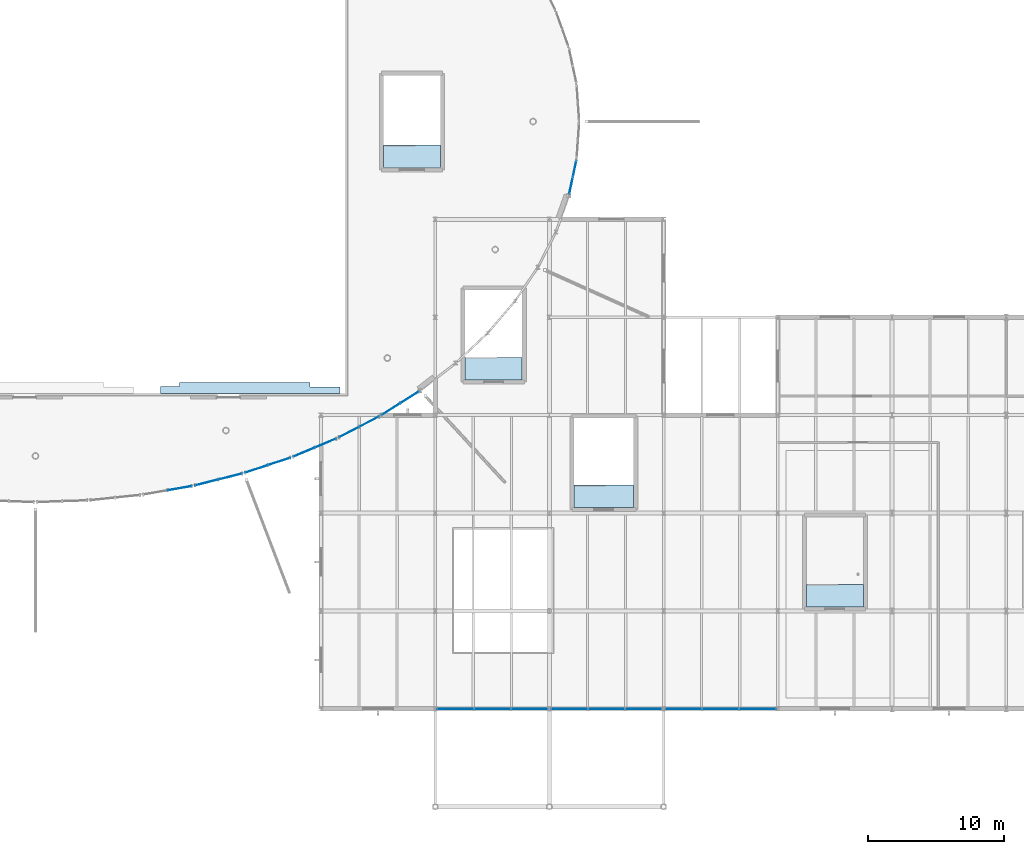
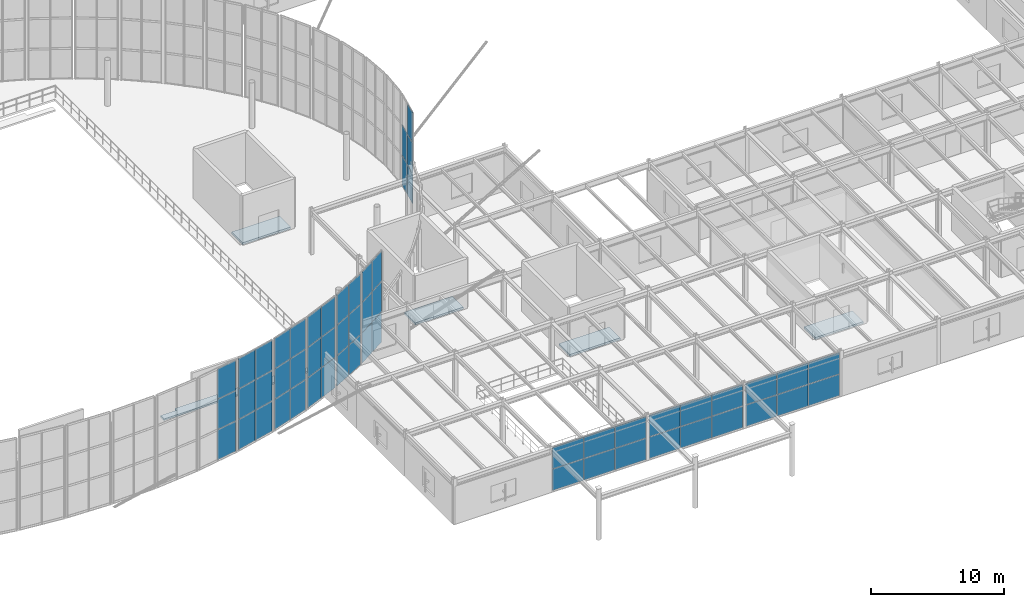
# One storey, part 48 of 109: 56 plates, 5 slabs, 10 elements without a shape of their own.
"""IFC4 building model written with IfcOpenShell, lengths in metres."""

from ifc_helpers import new_model, si_unit, derived_unit, direction, frame, origin, origin_2d, place, context, subcontext, project, spatial, polyline, rectangle, outline, extrude, material, layer, layer_set, type_object, element, aggregate, save


model = new_model("IFC4")

# Units and contexts
model_context = context("Model", 3, precision=1e-05, world=origin(), true_north=direction((0.0, 1.0)))
body_context = subcontext(model_context, "Body", "Model", "MODEL_VIEW")
ifc_project = project(units=[si_unit("LENGTHUNIT", "METRE"), si_unit("AREAUNIT", "SQUARE_METRE"), si_unit("VOLUMEUNIT", "CUBIC_METRE"), si_unit("PLANEANGLEUNIT", "RADIAN"), si_unit("MASSUNIT", "GRAM", prefix="KILO"), derived_unit("THERMALTRANSMITTANCEUNIT", [(si_unit("MASSUNIT", "GRAM", prefix="KILO"), 1), (si_unit("TIMEUNIT", "SECOND"), -3), (si_unit("THERMODYNAMICTEMPERATUREUNIT", "KELVIN"), -1)])], contexts=[model_context])

# Site, building, storey
site_placement = place(None, origin())
site = spatial("IfcSite", under=ifc_project, at=site_placement, CompositionType="ELEMENT")
building_placement = place(site_placement, origin())
building = spatial("IfcBuilding", under=site, at=building_placement, Name="Kharveza Railside Sports Centre", CompositionType="ELEMENT")
storey_placement = place(building_placement, frame((0.0, 0.0, 4.5)))
storey = spatial("IfcBuildingStorey", under=building, at=storey_placement, Name="L01", CompositionType="ELEMENT", Elevation=4.5)

# Curtain wall, plates
ifc_material_1 = material(Name="Low-E solar-control laminated glass", Category="glass")
curtain_wall_type_1 = type_object("IfcCurtainWallType", Name="CW-DR01", PredefinedType="NOTDEFINED", material=ifc_material_1)
curtain_wall_1_placement = place(storey_placement, origin())
curtain_wall_1 = element("IfcCurtainWall", 1, at=curtain_wall_1_placement, inside=storey, type_object=curtain_wall_type_1, Name="CW-DRUM-51", PredefinedType="NOTDEFINED")
ifc_layer_1 = layer(ifc_material_1, 0.035888671875, Name="Low-E solar-control laminated glass")
ifc_layer_set_1 = layer_set([ifc_layer_1], Name="Low-E solar-control laminated glass")
plate_type_1 = type_object("IfcPlateType", Name="PL-CP01", PredefinedType="CURTAIN_PANEL", material=ifc_layer_set_1)
plate_1_placement = place(storey_placement, frame((65.2001953125, 23.428466796875, 0.02001953125), z_axis=(0.0, 0.0, 1.0), x_axis=(0.984973989537, 0.172702750228, 0.0)))
plate_1 = element("IfcPlate", 2, at=plate_1_placement, type_object=plate_type_1, Name="CW-DRUM-51-PN21", PredefinedType="CURTAIN_PANEL", context=body_context, shape_type="SweptSolid", body=[
    extrude(rectangle(XDim=1.77294921875, YDim=0.035888671875, at=origin_2d()), origin(), (0.0, 0.0, 1.0), 2.760009765625),
])
plate_2_placement = place(storey_placement, frame((65.2001953125, 23.428466796875, 2.81982421875), z_axis=(0.0, 0.0, 1.0), x_axis=(0.984973989537, 0.172702750228, 0.0)))
plate_2 = element("IfcPlate", 3, at=plate_2_placement, type_object=plate_type_1, Name="CW-DRUM-51-PN22", PredefinedType="CURTAIN_PANEL", context=body_context, shape_type="SweptSolid", body=[
    extrude(rectangle(XDim=1.77294921875, YDim=0.035888671875, at=origin_2d()), origin(), (0.0, 0.0, 1.0), 2.760009765625),
])
plate_3_placement = place(storey_placement, frame((65.2001953125, 23.428466796875, 5.6201171875), z_axis=(0.0, 0.0, 1.0), x_axis=(0.984973989537, 0.172702750228, 0.0)))
plate_3 = element("IfcPlate", 4, at=plate_3_placement, type_object=plate_type_1, Name="CW-DRUM-51-PN23", PredefinedType="CURTAIN_PANEL", context=body_context, shape_type="SweptSolid", body=[
    extrude(rectangle(XDim=1.77294921875, YDim=0.035888671875, at=origin_2d()), origin(), (0.0, 0.0, 1.0), 2.760009765625),
])
aggregate(curtain_wall_1, [plate_1, plate_2, plate_3])

curtain_wall_2_placement = place(storey_placement, origin())
curtain_wall_2 = element("IfcCurtainWall", 5, at=curtain_wall_2_placement, inside=storey, type_object=curtain_wall_type_1, Name="CW-DRUM-52", PredefinedType="NOTDEFINED")
plate_4_placement = place(storey_placement, frame((67.193603515625, 23.851806640625, 0.02001953125), z_axis=(0.0, 0.0, 1.0), x_axis=(0.970037614068, 0.242954784461, 0.0)))
plate_4 = element("IfcPlate", 6, at=plate_4_placement, type_object=plate_type_1, Name="CW-DRUM-52-PN11", PredefinedType="CURTAIN_PANEL", context=body_context, shape_type="SweptSolid", body=[
    extrude(rectangle(XDim=1.7451171875, YDim=0.035888671875, at=origin_2d()), origin(), (0.0, 0.0, 1.0), 2.760009765625),
])
plate_5_placement = place(storey_placement, frame((67.193603515625, 23.851806640625, 2.81982421875), z_axis=(0.0, 0.0, 1.0), x_axis=(0.970037614068, 0.242954784461, 0.0)))
plate_5 = element("IfcPlate", 7, at=plate_5_placement, type_object=plate_type_1, Name="CW-DRUM-52-PN12", PredefinedType="CURTAIN_PANEL", context=body_context, shape_type="SweptSolid", body=[
    extrude(rectangle(XDim=1.7451171875, YDim=0.035888671875, at=origin_2d()), origin(), (0.0, 0.0, 1.0), 2.760009765625),
])
plate_6_placement = place(storey_placement, frame((67.193603515625, 23.851806640625, 5.6201171875), z_axis=(0.0, 0.0, 1.0), x_axis=(0.970037614068, 0.242954784461, 0.0)))
plate_6 = element("IfcPlate", 8, at=plate_6_placement, type_object=plate_type_1, Name="CW-DRUM-52-PN13", PredefinedType="CURTAIN_PANEL", context=body_context, shape_type="SweptSolid", body=[
    extrude(rectangle(XDim=1.7451171875, YDim=0.035888671875, at=origin_2d()), origin(), (0.0, 0.0, 1.0), 2.760009765625),
])
plate_7_placement = place(storey_placement, frame((68.925048828125, 24.285400390625, 0.02001953125), z_axis=(0.0, 0.0, 1.0), x_axis=(0.970037614068, 0.242954784461, 0.0)))
plate_7 = element("IfcPlate", 9, at=plate_7_placement, type_object=plate_type_1, Name="CW-DRUM-52-PN21", PredefinedType="CURTAIN_PANEL", context=body_context, shape_type="SweptSolid", body=[
    extrude(rectangle(XDim=1.7451171875, YDim=0.035888671875, at=origin_2d()), origin(), (0.0, 0.0, 1.0), 2.760009765625),
])
plate_8_placement = place(storey_placement, frame((68.925048828125, 24.285400390625, 2.81982421875), z_axis=(0.0, 0.0, 1.0), x_axis=(0.970037614068, 0.242954784461, 0.0)))
plate_8 = element("IfcPlate", 10, at=plate_8_placement, type_object=plate_type_1, Name="CW-DRUM-52-PN22", PredefinedType="CURTAIN_PANEL", context=body_context, shape_type="SweptSolid", body=[
    extrude(rectangle(XDim=1.7451171875, YDim=0.035888671875, at=origin_2d()), origin(), (0.0, 0.0, 1.0), 2.760009765625),
])
plate_9_placement = place(storey_placement, frame((68.925048828125, 24.285400390625, 5.6201171875), z_axis=(0.0, 0.0, 1.0), x_axis=(0.970037614068, 0.242954784461, 0.0)))
plate_9 = element("IfcPlate", 11, at=plate_9_placement, type_object=plate_type_1, Name="CW-DRUM-52-PN23", PredefinedType="CURTAIN_PANEL", context=body_context, shape_type="SweptSolid", body=[
    extrude(rectangle(XDim=1.7451171875, YDim=0.035888671875, at=origin_2d()), origin(), (0.0, 0.0, 1.0), 2.760009765625),
])
aggregate(curtain_wall_2, [plate_4, plate_5, plate_6, plate_7, plate_8, plate_9])

curtain_wall_3_placement = place(storey_placement, origin())
curtain_wall_3 = element("IfcCurtainWall", 12, at=curtain_wall_3_placement, inside=storey, type_object=curtain_wall_type_1, Name="CW-DRUM-53", PredefinedType="NOTDEFINED")
plate_10_placement = place(storey_placement, frame((70.851318359375, 24.843994140625, 0.02001953125), z_axis=(0.0, 0.0, 1.0), x_axis=(0.949326787152, 0.314290711278, 0.0)))
plate_10 = element("IfcPlate", 13, at=plate_10_placement, type_object=plate_type_1, Name="CW-DRUM-53-PN11", PredefinedType="CURTAIN_PANEL", context=body_context, shape_type="SweptSolid", body=[
    extrude(rectangle(XDim=1.708984375, YDim=0.035888671875, at=origin_2d()), origin(), (0.0, 0.0, 1.0), 2.760009765625),
])
plate_11_placement = place(storey_placement, frame((70.851318359375, 24.843994140625, 2.81982421875), z_axis=(0.0, 0.0, 1.0), x_axis=(0.949326787152, 0.314290711278, 0.0)))
plate_11 = element("IfcPlate", 14, at=plate_11_placement, type_object=plate_type_1, Name="CW-DRUM-53-PN12", PredefinedType="CURTAIN_PANEL", context=body_context, shape_type="SweptSolid", body=[
    extrude(rectangle(XDim=1.708984375, YDim=0.035888671875, at=origin_2d()), origin(), (0.0, 0.0, 1.0), 2.760009765625),
])
plate_12_placement = place(storey_placement, frame((70.851318359375, 24.843994140625, 5.6201171875), z_axis=(0.0, 0.0, 1.0), x_axis=(0.949326787152, 0.314290711278, 0.0)))
plate_12 = element("IfcPlate", 15, at=plate_12_placement, type_object=plate_type_1, Name="CW-DRUM-53-PN13", PredefinedType="CURTAIN_PANEL", context=body_context, shape_type="SweptSolid", body=[
    extrude(rectangle(XDim=1.708984375, YDim=0.035888671875, at=origin_2d()), origin(), (0.0, 0.0, 1.0), 2.760009765625),
])
plate_13_placement = place(storey_placement, frame((72.51171875, 25.3935546875, 0.02001953125), z_axis=(0.0, 0.0, 1.0), x_axis=(0.949326787152, 0.314290711278, 0.0)))
plate_13 = element("IfcPlate", 16, at=plate_13_placement, type_object=plate_type_1, Name="CW-DRUM-53-PN21", PredefinedType="CURTAIN_PANEL", context=body_context, shape_type="SweptSolid", body=[
    extrude(rectangle(XDim=1.708984375, YDim=0.035888671875, at=origin_2d()), origin(), (0.0, 0.0, 1.0), 2.760009765625),
])
plate_14_placement = place(storey_placement, frame((72.51171875, 25.3935546875, 2.81982421875), z_axis=(0.0, 0.0, 1.0), x_axis=(0.949326787152, 0.314290711278, 0.0)))
plate_14 = element("IfcPlate", 17, at=plate_14_placement, type_object=plate_type_1, Name="CW-DRUM-53-PN22", PredefinedType="CURTAIN_PANEL", context=body_context, shape_type="SweptSolid", body=[
    extrude(rectangle(XDim=1.708984375, YDim=0.035888671875, at=origin_2d()), origin(), (0.0, 0.0, 1.0), 2.760009765625),
])
plate_15_placement = place(storey_placement, frame((72.51171875, 25.3935546875, 5.6201171875), z_axis=(0.0, 0.0, 1.0), x_axis=(0.949326787152, 0.314290711278, 0.0)))
plate_15 = element("IfcPlate", 18, at=plate_15_placement, type_object=plate_type_1, Name="CW-DRUM-53-PN23", PredefinedType="CURTAIN_PANEL", context=body_context, shape_type="SweptSolid", body=[
    extrude(rectangle(XDim=1.708984375, YDim=0.035888671875, at=origin_2d()), origin(), (0.0, 0.0, 1.0), 2.760009765625),
])
aggregate(curtain_wall_3, [plate_10, plate_11, plate_12, plate_13, plate_14, plate_15])

curtain_wall_4_placement = place(storey_placement, origin())
curtain_wall_4 = element("IfcCurtainWall", 19, at=curtain_wall_4_placement, inside=storey, type_object=curtain_wall_type_1, Name="CW-DRUM-54", PredefinedType="NOTDEFINED")
plate_16_placement = place(storey_placement, frame((74.352783203125, 26.08251953125, 0.02001953125), z_axis=(0.0, 0.0, 1.0), x_axis=(0.9221267115, 0.386888004385, 0.0)))
plate_16 = element("IfcPlate", 20, at=plate_16_placement, type_object=plate_type_1, Name="CW-DRUM-54-PN11", PredefinedType="CURTAIN_PANEL", context=body_context, shape_type="SweptSolid", body=[
    extrude(rectangle(XDim=1.66552734375, YDim=0.035888671875, at=origin_2d()), origin(), (0.0, 0.0, 1.0), 2.760009765625),
])
plate_17_placement = place(storey_placement, frame((74.352783203125, 26.08251953125, 2.81982421875), z_axis=(0.0, 0.0, 1.0), x_axis=(0.9221267115, 0.386888004385, 0.0)))
plate_17 = element("IfcPlate", 21, at=plate_17_placement, type_object=plate_type_1, Name="CW-DRUM-54-PN12", PredefinedType="CURTAIN_PANEL", context=body_context, shape_type="SweptSolid", body=[
    extrude(rectangle(XDim=1.66552734375, YDim=0.035888671875, at=origin_2d()), origin(), (0.0, 0.0, 1.0), 2.760009765625),
])
plate_18_placement = place(storey_placement, frame((74.352783203125, 26.08251953125, 5.6201171875), z_axis=(0.0, 0.0, 1.0), x_axis=(0.9221267115, 0.386888004385, 0.0)))
plate_18 = element("IfcPlate", 22, at=plate_18_placement, type_object=plate_type_1, Name="CW-DRUM-54-PN13", PredefinedType="CURTAIN_PANEL", context=body_context, shape_type="SweptSolid", body=[
    extrude(rectangle(XDim=1.66552734375, YDim=0.035888671875, at=origin_2d()), origin(), (0.0, 0.0, 1.0), 2.760009765625),
])
plate_19_placement = place(storey_placement, frame((75.92578125, 26.742431640625, 0.02001953125), z_axis=(0.0, 0.0, 1.0), x_axis=(0.9221267115, 0.386888004385, 0.0)))
plate_19 = element("IfcPlate", 23, at=plate_19_placement, type_object=plate_type_1, Name="CW-DRUM-54-PN21", PredefinedType="CURTAIN_PANEL", context=body_context, shape_type="SweptSolid", body=[
    extrude(rectangle(XDim=1.66552734375, YDim=0.035888671875, at=origin_2d()), origin(), (0.0, 0.0, 1.0), 2.760009765625),
])
plate_20_placement = place(storey_placement, frame((75.92578125, 26.742431640625, 2.81982421875), z_axis=(0.0, 0.0, 1.0), x_axis=(0.9221267115, 0.386888004385, 0.0)))
plate_20 = element("IfcPlate", 24, at=plate_20_placement, type_object=plate_type_1, Name="CW-DRUM-54-PN22", PredefinedType="CURTAIN_PANEL", context=body_context, shape_type="SweptSolid", body=[
    extrude(rectangle(XDim=1.66552734375, YDim=0.035888671875, at=origin_2d()), origin(), (0.0, 0.0, 1.0), 2.760009765625),
])
plate_21_placement = place(storey_placement, frame((75.92578125, 26.742431640625, 5.6201171875), z_axis=(0.0, 0.0, 1.0), x_axis=(0.9221267115, 0.386888004385, 0.0)))
plate_21 = element("IfcPlate", 25, at=plate_21_placement, type_object=plate_type_1, Name="CW-DRUM-54-PN23", PredefinedType="CURTAIN_PANEL", context=body_context, shape_type="SweptSolid", body=[
    extrude(rectangle(XDim=1.66552734375, YDim=0.035888671875, at=origin_2d()), origin(), (0.0, 0.0, 1.0), 2.760009765625),
])
aggregate(curtain_wall_4, [plate_16, plate_17, plate_18, plate_19, plate_20, plate_21])

curtain_wall_5_placement = place(storey_placement, origin())
curtain_wall_5 = element("IfcCurtainWall", 26, at=curtain_wall_5_placement, inside=storey, type_object=curtain_wall_type_1, Name="CW-DRUM-55", PredefinedType="NOTDEFINED")
plate_22_placement = place(storey_placement, frame((77.664306640625, 27.5556640625, 0.02001953125), z_axis=(0.0, 0.0, 1.0), x_axis=(0.887526057855, 0.460757524766, 0.0)))
plate_22 = element("IfcPlate", 27, at=plate_22_placement, type_object=plate_type_1, Name="CW-DRUM-55-PN11", PredefinedType="CURTAIN_PANEL", context=body_context, shape_type="SweptSolid", body=[
    extrude(rectangle(XDim=1.6162109375, YDim=0.035888671875, at=origin_2d()), origin(), (0.0, 0.0, 1.0), 2.760009765625),
])
plate_23_placement = place(storey_placement, frame((77.664306640625, 27.5556640625, 2.81982421875), z_axis=(0.0, 0.0, 1.0), x_axis=(0.887526057855, 0.460757524766, 0.0)))
plate_23 = element("IfcPlate", 28, at=plate_23_placement, type_object=plate_type_1, Name="CW-DRUM-55-PN12", PredefinedType="CURTAIN_PANEL", context=body_context, shape_type="SweptSolid", body=[
    extrude(rectangle(XDim=1.6162109375, YDim=0.035888671875, at=origin_2d()), origin(), (0.0, 0.0, 1.0), 2.760009765625),
])
plate_24_placement = place(storey_placement, frame((77.664306640625, 27.5556640625, 5.6201171875), z_axis=(0.0, 0.0, 1.0), x_axis=(0.887526057855, 0.460757524766, 0.0)))
plate_24 = element("IfcPlate", 29, at=plate_24_placement, type_object=plate_type_1, Name="CW-DRUM-55-PN13", PredefinedType="CURTAIN_PANEL", context=body_context, shape_type="SweptSolid", body=[
    extrude(rectangle(XDim=1.6162109375, YDim=0.035888671875, at=origin_2d()), origin(), (0.0, 0.0, 1.0), 2.760009765625),
])
plate_25_placement = place(storey_placement, frame((79.13427734375, 28.31884765625, 0.02001953125), z_axis=(0.0, 0.0, 1.0), x_axis=(0.887526057855, 0.460757524766, 0.0)))
plate_25 = element("IfcPlate", 30, at=plate_25_placement, type_object=plate_type_1, Name="CW-DRUM-55-PN21", PredefinedType="CURTAIN_PANEL", context=body_context, shape_type="SweptSolid", body=[
    extrude(rectangle(XDim=1.6162109375, YDim=0.035888671875, at=origin_2d()), origin(), (0.0, 0.0, 1.0), 2.760009765625),
])
plate_26_placement = place(storey_placement, frame((79.13427734375, 28.31884765625, 2.81982421875), z_axis=(0.0, 0.0, 1.0), x_axis=(0.887526057855, 0.460757524766, 0.0)))
plate_26 = element("IfcPlate", 31, at=plate_26_placement, type_object=plate_type_1, Name="CW-DRUM-55-PN22", PredefinedType="CURTAIN_PANEL", context=body_context, shape_type="SweptSolid", body=[
    extrude(rectangle(XDim=1.6162109375, YDim=0.035888671875, at=origin_2d()), origin(), (0.0, 0.0, 1.0), 2.760009765625),
])
plate_27_placement = place(storey_placement, frame((79.13427734375, 28.31884765625, 5.6201171875), z_axis=(0.0, 0.0, 1.0), x_axis=(0.887526057855, 0.460757524766, 0.0)))
plate_27 = element("IfcPlate", 32, at=plate_27_placement, type_object=plate_type_1, Name="CW-DRUM-55-PN23", PredefinedType="CURTAIN_PANEL", context=body_context, shape_type="SweptSolid", body=[
    extrude(rectangle(XDim=1.6162109375, YDim=0.035888671875, at=origin_2d()), origin(), (0.0, 0.0, 1.0), 2.760009765625),
])
aggregate(curtain_wall_5, [plate_22, plate_23, plate_24, plate_25, plate_26, plate_27])

curtain_wall_6_placement = place(storey_placement, origin())
curtain_wall_6 = element("IfcCurtainWall", 33, at=curtain_wall_6_placement, inside=storey, type_object=curtain_wall_type_1, Name="CW-DRUM-56", PredefinedType="NOTDEFINED")
plate_28_placement = place(storey_placement, frame((80.75341796875, 29.249267578125, 0.02001953125), z_axis=(0.0, 0.0, 1.0), x_axis=(0.844393382793, 0.535723636864, 0.0)))
plate_28 = element("IfcPlate", 34, at=plate_28_placement, type_object=plate_type_1, Name="CW-DRUM-56-PN11", PredefinedType="CURTAIN_PANEL", context=body_context, shape_type="SweptSolid", body=[
    extrude(rectangle(XDim=1.562255859375, YDim=0.035888671875, at=origin_2d()), origin(), (0.0, 0.0, 1.0), 2.760009765625),
])
plate_29_placement = place(storey_placement, frame((80.75341796875, 29.249267578125, 2.81982421875), z_axis=(0.0, 0.0, 1.0), x_axis=(0.844393382793, 0.535723636864, 0.0)))
plate_29 = element("IfcPlate", 35, at=plate_29_placement, type_object=plate_type_1, Name="CW-DRUM-56-PN12", PredefinedType="CURTAIN_PANEL", context=body_context, shape_type="SweptSolid", body=[
    extrude(rectangle(XDim=1.562255859375, YDim=0.035888671875, at=origin_2d()), origin(), (0.0, 0.0, 1.0), 2.760009765625),
])
plate_30_placement = place(storey_placement, frame((80.75341796875, 29.249267578125, 5.6201171875), z_axis=(0.0, 0.0, 1.0), x_axis=(0.844393382793, 0.535723636864, 0.0)))
plate_30 = element("IfcPlate", 36, at=plate_30_placement, type_object=plate_type_1, Name="CW-DRUM-56-PN13", PredefinedType="CURTAIN_PANEL", context=body_context, shape_type="SweptSolid", body=[
    extrude(rectangle(XDim=1.562255859375, YDim=0.035888671875, at=origin_2d()), origin(), (0.0, 0.0, 1.0), 2.760009765625),
])
plate_31_placement = place(storey_placement, frame((82.1064453125, 30.107421875, 0.02001953125), z_axis=(0.0, 0.0, 1.0), x_axis=(0.844393382793, 0.535723636864, 0.0)))
plate_31 = element("IfcPlate", 37, at=plate_31_placement, type_object=plate_type_1, Name="CW-DRUM-56-PN21", PredefinedType="CURTAIN_PANEL", context=body_context, shape_type="SweptSolid", body=[
    extrude(rectangle(XDim=1.562255859375, YDim=0.035888671875, at=origin_2d()), origin(), (0.0, 0.0, 1.0), 2.760009765625),
])
plate_32_placement = place(storey_placement, frame((82.1064453125, 30.107421875, 2.81982421875), z_axis=(0.0, 0.0, 1.0), x_axis=(0.844393382793, 0.535723636864, 0.0)))
plate_32 = element("IfcPlate", 38, at=plate_32_placement, type_object=plate_type_1, Name="CW-DRUM-56-PN22", PredefinedType="CURTAIN_PANEL", context=body_context, shape_type="SweptSolid", body=[
    extrude(rectangle(XDim=1.562255859375, YDim=0.035888671875, at=origin_2d()), origin(), (0.0, 0.0, 1.0), 2.760009765625),
])
plate_33_placement = place(storey_placement, frame((82.1064453125, 30.107421875, 5.6201171875), z_axis=(0.0, 0.0, 1.0), x_axis=(0.844393382793, 0.535723636864, 0.0)))
plate_33 = element("IfcPlate", 39, at=plate_33_placement, type_object=plate_type_1, Name="CW-DRUM-56-PN23", PredefinedType="CURTAIN_PANEL", context=body_context, shape_type="SweptSolid", body=[
    extrude(rectangle(XDim=1.562255859375, YDim=0.035888671875, at=origin_2d()), origin(), (0.0, 0.0, 1.0), 2.760009765625),
])
aggregate(curtain_wall_6, [plate_28, plate_29, plate_30, plate_31, plate_32, plate_33])

curtain_wall_7_placement = place(storey_placement, origin())
curtain_wall_7 = element("IfcCurtainWall", 40, at=curtain_wall_7_placement, inside=storey, type_object=curtain_wall_type_1, Name="CW-DRUM-63", PredefinedType="NOTDEFINED")
plate_34_placement = place(storey_placement, frame((93.98779296875, 45.67578125, 0.02001953125), z_axis=(0.0, 0.0, 1.0), x_axis=(0.207297061555, 0.978278042415, 0.0)))
plate_34 = element("IfcPlate", 41, at=plate_34_placement, type_object=plate_type_1, Name="CW-DRUM-63-PN11", PredefinedType="CURTAIN_PANEL", context=body_context, shape_type="SweptSolid", body=[
    extrude(rectangle(XDim=1.229248046875, YDim=0.035888671875, at=origin_2d()), origin(), (0.0, 0.0, 1.0), 2.760009765625),
])
plate_35_placement = place(storey_placement, frame((93.98779296875, 45.67578125, 2.81982421875), z_axis=(0.0, 0.0, 1.0), x_axis=(0.207297061555, 0.978278042415, 0.0)))
plate_35 = element("IfcPlate", 42, at=plate_35_placement, type_object=plate_type_1, Name="CW-DRUM-63-PN12", PredefinedType="CURTAIN_PANEL", context=body_context, shape_type="SweptSolid", body=[
    extrude(rectangle(XDim=1.229248046875, YDim=0.035888671875, at=origin_2d()), origin(), (0.0, 0.0, 1.0), 2.760009765625),
])
plate_36_placement = place(storey_placement, frame((93.98779296875, 45.67578125, 5.6201171875), z_axis=(0.0, 0.0, 1.0), x_axis=(0.207297061555, 0.978278042415, 0.0)))
plate_36 = element("IfcPlate", 43, at=plate_36_placement, type_object=plate_type_1, Name="CW-DRUM-63-PN13", PredefinedType="CURTAIN_PANEL", context=body_context, shape_type="SweptSolid", body=[
    extrude(rectangle(XDim=1.229248046875, YDim=0.035888671875, at=origin_2d()), origin(), (0.0, 0.0, 1.0), 2.760009765625),
])
plate_37_placement = place(storey_placement, frame((94.2509765625, 46.917236328125, 0.02001953125), z_axis=(0.0, 0.0, 1.0), x_axis=(0.207297061555, 0.978278042415, 0.0)))
plate_37 = element("IfcPlate", 44, at=plate_37_placement, type_object=plate_type_1, Name="CW-DRUM-63-PN21", PredefinedType="CURTAIN_PANEL", context=body_context, shape_type="SweptSolid", body=[
    extrude(rectangle(XDim=1.229248046875, YDim=0.035888671875, at=origin_2d()), origin(), (0.0, 0.0, 1.0), 2.760009765625),
])
plate_38_placement = place(storey_placement, frame((94.2509765625, 46.917236328125, 2.81982421875), z_axis=(0.0, 0.0, 1.0), x_axis=(0.207297061555, 0.978278042415, 0.0)))
plate_38 = element("IfcPlate", 45, at=plate_38_placement, type_object=plate_type_1, Name="CW-DRUM-63-PN22", PredefinedType="CURTAIN_PANEL", context=body_context, shape_type="SweptSolid", body=[
    extrude(rectangle(XDim=1.229248046875, YDim=0.035888671875, at=origin_2d()), origin(), (0.0, 0.0, 1.0), 2.760009765625),
])
aggregate(curtain_wall_7, [plate_34, plate_35, plate_36, plate_37, plate_38])

curtain_wall_type_2 = type_object("IfcCurtainWallType", Name="CW-WG01", PredefinedType="NOTDEFINED", material=ifc_material_1)
curtain_wall_8_placement = place(storey_placement, origin())
curtain_wall_8 = element("IfcCurtainWall", 46, at=curtain_wall_8_placement, inside=storey, type_object=curtain_wall_type_2, Name="CW-WG-L01-CW-WG01-X882-Y72", PredefinedType="NOTDEFINED")
ifc_layer_2 = layer(ifc_material_1, 0.0380859375, Name="Low-E solar-control laminated glass")
ifc_layer_set_2 = layer_set([ifc_layer_2], Name="Low-E solar-control laminated glass")
plate_type_2 = type_object("IfcPlateType", Name="PL-CP03", PredefinedType="CURTAIN_PANEL", material=ifc_layer_set_2)
plate_39_placement = place(storey_placement, frame((85.47998046875, 7.199951171875, 0.02001953125), z_axis=(0.0, 0.0, 1.0), x_axis=(1.0, 0.0, 0.0)))
plate_39 = element("IfcPlate", 47, at=plate_39_placement, type_object=plate_type_2, Name="CW-WG-L01-CW-WG01-X882-Y72-PN11", PredefinedType="CURTAIN_PANEL", context=body_context, shape_type="SweptSolid", body=[
    extrude(rectangle(XDim=2.679931640625, YDim=0.0380859375, at=origin_2d()), origin(), (0.0, 0.0, 1.0), 1.9599609375),
])
plate_40_placement = place(storey_placement, frame((85.47998046875, 7.199951171875, 2.02001953125), z_axis=(0.0, 0.0, 1.0), x_axis=(1.0, 0.0, 0.0)))
plate_40 = element("IfcPlate", 48, at=plate_40_placement, type_object=plate_type_2, Name="CW-WG-L01-CW-WG01-X882-Y72-PN12", PredefinedType="CURTAIN_PANEL", context=body_context, shape_type="SweptSolid", body=[
    extrude(rectangle(XDim=2.679931640625, YDim=0.0380859375, at=origin_2d()), origin(), (0.0, 0.0, 1.0), 1.9599609375),
])
plate_41_placement = place(storey_placement, frame((88.199951171875, 7.199951171875, 0.02001953125), z_axis=(0.0, 0.0, 1.0), x_axis=(1.0, 0.0, 0.0)))
plate_41 = element("IfcPlate", 49, at=plate_41_placement, type_object=plate_type_2, Name="CW-WG-L01-CW-WG01-X882-Y72-PN21", PredefinedType="CURTAIN_PANEL", context=body_context, shape_type="SweptSolid", body=[
    extrude(rectangle(XDim=2.679931640625, YDim=0.0380859375, at=origin_2d()), origin(), (0.0, 0.0, 1.0), 1.9599609375),
])
plate_42_placement = place(storey_placement, frame((88.199951171875, 7.199951171875, 2.02001953125), z_axis=(0.0, 0.0, 1.0), x_axis=(1.0, 0.0, 0.0)))
plate_42 = element("IfcPlate", 50, at=plate_42_placement, type_object=plate_type_2, Name="CW-WG-L01-CW-WG01-X882-Y72-PN22", PredefinedType="CURTAIN_PANEL", context=body_context, shape_type="SweptSolid", body=[
    extrude(rectangle(XDim=2.679931640625, YDim=0.0380859375, at=origin_2d()), origin(), (0.0, 0.0, 1.0), 1.9599609375),
])
plate_43_placement = place(storey_placement, frame((90.919921875, 7.199951171875, 0.02001953125), z_axis=(0.0, 0.0, 1.0), x_axis=(1.0, 0.0, 0.0)))
plate_43 = element("IfcPlate", 51, at=plate_43_placement, type_object=plate_type_2, Name="CW-WG-L01-CW-WG01-X882-Y72-PN31", PredefinedType="CURTAIN_PANEL", context=body_context, shape_type="SweptSolid", body=[
    extrude(rectangle(XDim=2.679931640625, YDim=0.0380859375, at=origin_2d()), origin(), (0.0, 0.0, 1.0), 1.9599609375),
])
plate_44_placement = place(storey_placement, frame((90.919921875, 7.199951171875, 2.02001953125), z_axis=(0.0, 0.0, 1.0), x_axis=(1.0, 0.0, 0.0)))
plate_44 = element("IfcPlate", 52, at=plate_44_placement, type_object=plate_type_2, Name="CW-WG-L01-CW-WG01-X882-Y72-PN32", PredefinedType="CURTAIN_PANEL", context=body_context, shape_type="SweptSolid", body=[
    extrude(rectangle(XDim=2.679931640625, YDim=0.0380859375, at=origin_2d()), origin(), (0.0, 0.0, 1.0), 1.9599609375),
])
aggregate(curtain_wall_8, [plate_39, plate_40, plate_41, plate_42, plate_43, plate_44])

curtain_wall_9_placement = place(storey_placement, origin())
curtain_wall_9 = element("IfcCurtainWall", 53, at=curtain_wall_9_placement, inside=storey, type_object=curtain_wall_type_2, Name="CW-WG-L01-CW-WG01-X966-Y72", PredefinedType="NOTDEFINED")
plate_45_placement = place(storey_placement, frame((93.8798828125, 7.199951171875, 0.02001953125), z_axis=(0.0, 0.0, 1.0), x_axis=(1.0, 0.0, 0.0)))
plate_45 = element("IfcPlate", 54, at=plate_45_placement, type_object=plate_type_2, Name="CW-WG-L01-CW-WG01-X966-Y72-PN11", PredefinedType="CURTAIN_PANEL", context=body_context, shape_type="SweptSolid", body=[
    extrude(rectangle(XDim=2.679931640625, YDim=0.0380859375, at=origin_2d()), origin(), (0.0, 0.0, 1.0), 1.9599609375),
])
plate_46_placement = place(storey_placement, frame((93.8798828125, 7.199951171875, 2.02001953125), z_axis=(0.0, 0.0, 1.0), x_axis=(1.0, 0.0, 0.0)))
plate_46 = element("IfcPlate", 55, at=plate_46_placement, type_object=plate_type_2, Name="CW-WG-L01-CW-WG01-X966-Y72-PN12", PredefinedType="CURTAIN_PANEL", context=body_context, shape_type="SweptSolid", body=[
    extrude(rectangle(XDim=2.679931640625, YDim=0.0380859375, at=origin_2d()), origin(), (0.0, 0.0, 1.0), 1.9599609375),
])
plate_47_placement = place(storey_placement, frame((96.60009765625, 7.199951171875, 0.02001953125), z_axis=(0.0, 0.0, 1.0), x_axis=(1.0, 0.0, 0.0)))
plate_47 = element("IfcPlate", 56, at=plate_47_placement, type_object=plate_type_2, Name="CW-WG-L01-CW-WG01-X966-Y72-PN21", PredefinedType="CURTAIN_PANEL", context=body_context, shape_type="SweptSolid", body=[
    extrude(rectangle(XDim=2.679931640625, YDim=0.0380859375, at=origin_2d()), origin(), (0.0, 0.0, 1.0), 1.9599609375),
])
plate_48_placement = place(storey_placement, frame((96.60009765625, 7.199951171875, 2.02001953125), z_axis=(0.0, 0.0, 1.0), x_axis=(1.0, 0.0, 0.0)))
plate_48 = element("IfcPlate", 57, at=plate_48_placement, type_object=plate_type_2, Name="CW-WG-L01-CW-WG01-X966-Y72-PN22", PredefinedType="CURTAIN_PANEL", context=body_context, shape_type="SweptSolid", body=[
    extrude(rectangle(XDim=2.679931640625, YDim=0.0380859375, at=origin_2d()), origin(), (0.0, 0.0, 1.0), 1.9599609375),
])
plate_49_placement = place(storey_placement, frame((99.320068359375, 7.199951171875, 0.02001953125), z_axis=(0.0, 0.0, 1.0), x_axis=(1.0, 0.0, 0.0)))
plate_49 = element("IfcPlate", 58, at=plate_49_placement, type_object=plate_type_2, Name="CW-WG-L01-CW-WG01-X966-Y72-PN31", PredefinedType="CURTAIN_PANEL", context=body_context, shape_type="SweptSolid", body=[
    extrude(rectangle(XDim=2.679931640625, YDim=0.0380859375, at=origin_2d()), origin(), (0.0, 0.0, 1.0), 1.9599609375),
])
plate_50_placement = place(storey_placement, frame((99.320068359375, 7.199951171875, 2.02001953125), z_axis=(0.0, 0.0, 1.0), x_axis=(1.0, 0.0, 0.0)))
plate_50 = element("IfcPlate", 59, at=plate_50_placement, type_object=plate_type_2, Name="CW-WG-L01-CW-WG01-X966-Y72-PN32", PredefinedType="CURTAIN_PANEL", context=body_context, shape_type="SweptSolid", body=[
    extrude(rectangle(XDim=2.679931640625, YDim=0.0380859375, at=origin_2d()), origin(), (0.0, 0.0, 1.0), 1.9599609375),
])
aggregate(curtain_wall_9, [plate_45, plate_46, plate_47, plate_48, plate_49, plate_50])

curtain_wall_10_placement = place(storey_placement, origin())
curtain_wall_10 = element("IfcCurtainWall", 60, at=curtain_wall_10_placement, inside=storey, type_object=curtain_wall_type_2, Name="CW-WG-L01-CW-WG01-X1050-Y72", PredefinedType="NOTDEFINED")
plate_51_placement = place(storey_placement, frame((102.280029296875, 7.199951171875, 0.02001953125), z_axis=(0.0, 0.0, 1.0), x_axis=(1.0, 0.0, 0.0)))
plate_51 = element("IfcPlate", 61, at=plate_51_placement, type_object=plate_type_2, Name="CW-WG-L01-CW-WG01-X1050-Y72-PN11", PredefinedType="CURTAIN_PANEL", context=body_context, shape_type="SweptSolid", body=[
    extrude(rectangle(XDim=2.679931640625, YDim=0.0380859375, at=origin_2d()), origin(), (0.0, 0.0, 1.0), 1.9599609375),
])
plate_52_placement = place(storey_placement, frame((102.280029296875, 7.199951171875, 2.02001953125), z_axis=(0.0, 0.0, 1.0), x_axis=(1.0, 0.0, 0.0)))
plate_52 = element("IfcPlate", 62, at=plate_52_placement, type_object=plate_type_2, Name="CW-WG-L01-CW-WG01-X1050-Y72-PN12", PredefinedType="CURTAIN_PANEL", context=body_context, shape_type="SweptSolid", body=[
    extrude(rectangle(XDim=2.679931640625, YDim=0.0380859375, at=origin_2d()), origin(), (0.0, 0.0, 1.0), 1.9599609375),
])
plate_53_placement = place(storey_placement, frame((105.0, 7.199951171875, 0.02001953125), z_axis=(0.0, 0.0, 1.0), x_axis=(1.0, 0.0, 0.0)))
plate_53 = element("IfcPlate", 63, at=plate_53_placement, type_object=plate_type_2, Name="CW-WG-L01-CW-WG01-X1050-Y72-PN21", PredefinedType="CURTAIN_PANEL", context=body_context, shape_type="SweptSolid", body=[
    extrude(rectangle(XDim=2.679931640625, YDim=0.0380859375, at=origin_2d()), origin(), (0.0, 0.0, 1.0), 1.9599609375),
])
plate_54_placement = place(storey_placement, frame((105.0, 7.199951171875, 2.02001953125), z_axis=(0.0, 0.0, 1.0), x_axis=(1.0, 0.0, 0.0)))
plate_54 = element("IfcPlate", 64, at=plate_54_placement, type_object=plate_type_2, Name="CW-WG-L01-CW-WG01-X1050-Y72-PN22", PredefinedType="CURTAIN_PANEL", context=body_context, shape_type="SweptSolid", body=[
    extrude(rectangle(XDim=2.679931640625, YDim=0.0380859375, at=origin_2d()), origin(), (0.0, 0.0, 1.0), 1.9599609375),
])
plate_55_placement = place(storey_placement, frame((107.719970703125, 7.199951171875, 0.02001953125), z_axis=(0.0, 0.0, 1.0), x_axis=(1.0, 0.0, 0.0)))
plate_55 = element("IfcPlate", 65, at=plate_55_placement, type_object=plate_type_2, Name="CW-WG-L01-CW-WG01-X1050-Y72-PN31", PredefinedType="CURTAIN_PANEL", context=body_context, shape_type="SweptSolid", body=[
    extrude(rectangle(XDim=2.679931640625, YDim=0.0380859375, at=origin_2d()), origin(), (0.0, 0.0, 1.0), 1.9599609375),
])
plate_56_placement = place(storey_placement, frame((107.719970703125, 7.199951171875, 2.02001953125), z_axis=(0.0, 0.0, 1.0), x_axis=(1.0, 0.0, 0.0)))
plate_56 = element("IfcPlate", 66, at=plate_56_placement, type_object=plate_type_2, Name="CW-WG-L01-CW-WG01-X1050-Y72-PN32", PredefinedType="CURTAIN_PANEL", context=body_context, shape_type="SweptSolid", body=[
    extrude(rectangle(XDim=2.679931640625, YDim=0.0380859375, at=origin_2d()), origin(), (0.0, 0.0, 1.0), 1.9599609375),
])
aggregate(curtain_wall_10, [plate_51, plate_52, plate_53, plate_54, plate_55, plate_56])

# Slabs
ifc_material_2 = material(Name="Concrete C35/45", Category="concrete")
ifc_layer_3 = layer(ifc_material_2, 0.18505859375, Name="Concrete C35/45")
ifc_layer_set_3 = layer_set([ifc_layer_3], Name="Concrete C35/45")
slab_type_1 = type_object("IfcSlabType", Name="SL-LD185", PredefinedType="LANDING", material=ifc_layer_set_3)
slab_1_placement = place(storey_placement, frame((0.0, 0.0, -0.18505859375)))
element("IfcSlab", 67, at=slab_1_placement, inside=storey, type_object=slab_type_1, Name="SLB-STLND-FLR-ST8-L01", PredefinedType="LANDING", context=body_context, shape_type="SweptSolid", body=[
    extrude(outline(polyline([(80.205078125, 47.0048828125), (84.39501953125, 47.0048828125), (84.39501953125, 48.659912109375), (80.205078125, 48.659912109375), (80.205078125, 47.0048828125)])), origin(), (0.0, 0.0, 1.0), 0.18505859375),
])
slab_2_placement = place(storey_placement, frame((0.0, 0.0, -0.18505859375)))
element("IfcSlab", 68, at=slab_2_placement, inside=storey, type_object=slab_type_1, Name="SLB-STLND-FLR-ST9-L01", PredefinedType="LANDING", context=body_context, shape_type="SweptSolid", body=[
    extrude(outline(polyline([(86.205078125, 31.405029296875), (90.39501953125, 31.405029296875), (90.39501953125, 33.06005859375), (86.205078125, 33.06005859375), (86.205078125, 31.405029296875)])), origin(), (0.0, 0.0, 1.0), 0.18505859375),
])
slab_3_placement = place(storey_placement, frame((0.0, 0.0, -0.18505859375)))
element("IfcSlab", 69, at=slab_3_placement, inside=storey, type_object=slab_type_1, Name="SLB-STLND-FLR-ST10-L01", PredefinedType="LANDING", context=body_context, shape_type="SweptSolid", body=[
    extrude(outline(polyline([(94.205078125, 22.0048828125), (98.594970703125, 22.0048828125), (98.594970703125, 23.659912109375), (94.205078125, 23.659912109375), (94.205078125, 22.0048828125)])), origin(), (0.0, 0.0, 1.0), 0.18505859375),
])
slab_4_placement = place(storey_placement, frame((0.0, 0.0, -0.18505859375)))
element("IfcSlab", 70, at=slab_4_placement, inside=storey, type_object=slab_type_1, Name="SLB-STLND-FLR-ST12-L01", PredefinedType="LANDING", context=body_context, shape_type="SweptSolid", body=[
    extrude(outline(polyline([(111.304931640625, 14.705078125), (115.4951171875, 14.705078125), (115.4951171875, 16.360107421875), (111.304931640625, 16.360107421875), (111.304931640625, 14.705078125)])), origin(), (0.0, 0.0, 1.0), 0.18505859375),
])
ifc_material_3 = material(Name="Precast concrete C40/50", Category="concrete")
ifc_layer_4 = layer(ifc_material_3, 0.14990234375, Name="Precast concrete C40/50")
ifc_layer_set_4 = layer_set([ifc_layer_4], Name="Precast concrete C40/50")
slab_type_2 = type_object("IfcSlabType", Name="SL-ST150", PredefinedType="USERDEFINED", material=ifc_layer_set_4)
slab_5_placement = place(storey_placement, frame((0.0, 0.0, -0.510009765625)))
element("IfcSlab", 71, at=slab_5_placement, inside=storey, type_object=slab_type_2, Name="Spectator Seating Tier S1-S3", ObjectType="SEATING_TIER", PredefinedType="USERDEFINED", context=body_context, shape_type="SweptSolid", body=[
    extrude(outline(polyline([(63.800048828125, 30.39990234375), (77.0, 30.39990234375), (77.0, 30.860107421875), (74.800048828125, 30.860107421875), (74.800048828125, 31.199951171875), (65.199951171875, 31.199951171875), (65.199951171875, 30.919921875), (63.800048828125, 30.919921875), (63.800048828125, 30.39990234375)])), origin(), (0.0, 0.0, 1.0), 0.14990234375),
])

save(model, "model.ifc")
